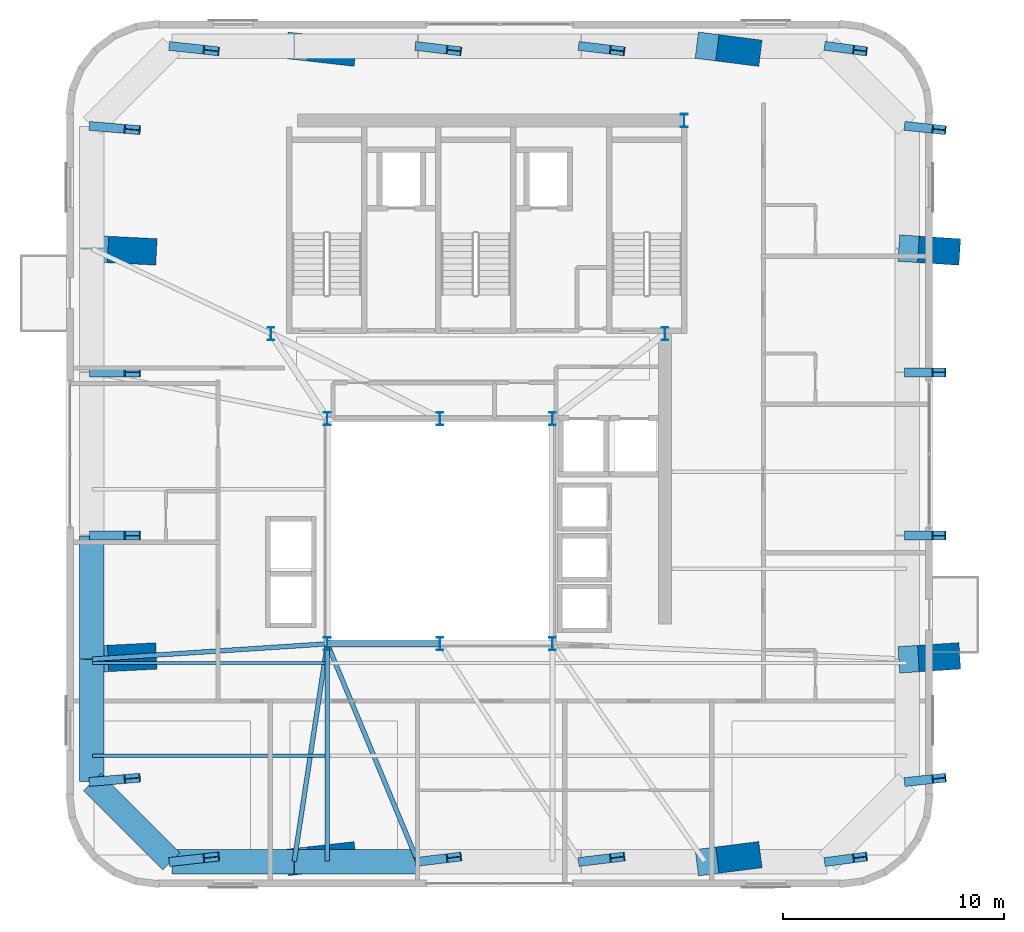
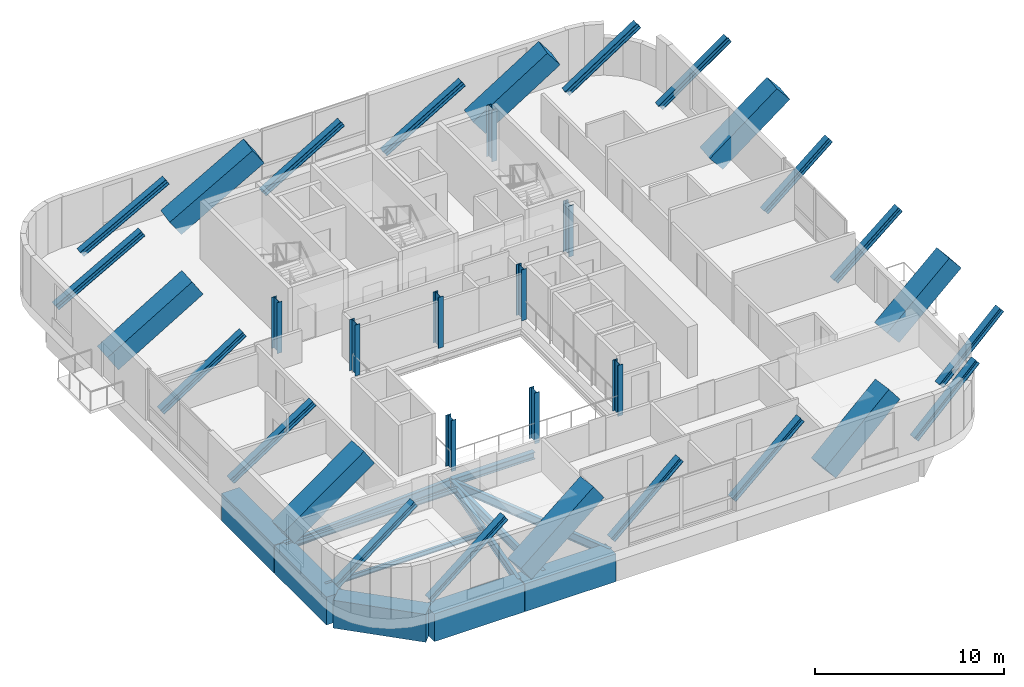
# One storey, part 1 of 12: 33 columns, 12 beams.
"""IFC4 building model written with IfcOpenShell, lengths in metres."""

from ifc_helpers import new_model, si_unit, direction, frame, origin, origin_2d, place, context, subcontext, project, spatial, rectangle, i_section, extrude, source, transform, mapped, material, material_profile, profile_set, type_object, element, save


model = new_model("IFC4")

# Units and contexts
model_context = context("Model", 3, precision=1e-05, world=origin(), true_north=direction((0.0, 1.0)))
body_context = subcontext(model_context, "Body", "Model", "MODEL_VIEW")
ifc_project = project(units=[si_unit("LENGTHUNIT", "METRE"), si_unit("AREAUNIT", "SQUARE_METRE"), si_unit("VOLUMEUNIT", "CUBIC_METRE"), si_unit("PLANEANGLEUNIT", "RADIAN"), si_unit("MASSUNIT", "GRAM", prefix="KILO")], contexts=[model_context])

# Site, building, storey
site_placement = place(None, origin())
site = spatial("IfcSite", under=ifc_project, at=site_placement, CompositionType="ELEMENT")
building_placement = place(site_placement, origin())
building = spatial("IfcBuilding", under=site, at=building_placement, Name="Vardaveli Station Tower", CompositionType="ELEMENT")
storey_placement = place(building_placement, frame((0.0, 0.0, 282.199951171875)))
storey = spatial("IfcBuildingStorey", under=building, at=storey_placement, Name="L72", CompositionType="ELEMENT", Elevation=282.199951171875)

# Columns
ifc_material_1 = material(Name="Structural steel S460M", Category="steel")
ifc_material_profile_1 = material_profile(ifc_material_1, i_section(OverallWidth=0.300048828125, OverallDepth=0.60009765625, WebThickness=0.015380859375, FlangeThickness=0.030029296875, FilletRadius=0.027099609375, at=origin_2d()), Name="HEB 600")
ifc_profile_set_1 = profile_set([ifc_material_profile_1], Name="Structural steel S460M")
column_type_1 = type_object("IfcColumnType", Name="COL-HEB600", PredefinedType="COLUMN", material=ifc_profile_set_1)
shared_shape_1 = source(origin(), body_context, "Body", "SweptSolid", [
    extrude(i_section(OverallWidth=0.300048828125, OverallDepth=0.60009765625, WebThickness=0.015380859375, FlangeThickness=0.030029296875, FilletRadius=0.027099609375, at=origin_2d()), origin(), (0.0, 0.0, 1.0), 3.300048828125),
])
for number, where, z_axis, x_axis, name in (
    (1, (31.199951171875, 16.60009765625, 0.0), (0.0, 0.0, 1.0), (1.0, 0.0, 0.0), "COL-L72-AC1"),
    (2, (36.300048828125, 16.60009765625, 0.0), (0.0, 0.0, 1.0), (1.0, 0.0, 0.0), "COL-L72-AC2"),
    (3, (41.39990234375, 16.60009765625, 0.0), (0.0, 0.0, 1.0), (1.0, 0.0, 0.0), "COL-L72-AC3"),
    (4, (41.39990234375, 26.800048828125, 0.0), (0.0, 0.0, 1.0), (1.0, 0.0, 0.0), "COL-L72-AC4"),
    (5, (36.300048828125, 26.800048828125, 0.0), (0.0, 0.0, 1.0), (1.0, 0.0, 0.0), "COL-L72-AC5"),
    (6, (31.199951171875, 26.800048828125, 0.0), (0.0, 0.0, 1.0), (1.0, 0.0, 0.0), "COL-L72-AC6"),
    (7, (28.64990234375, 30.64990234375, 0.0), (0.0, 0.0, 1.0), (1.0, 0.0, 0.0), "COL-L72-CC1"),
    (8, (46.5, 30.64990234375, 0.0), (0.0, 0.0, 1.0), (1.0, 0.0, 0.0), "COL-L72-CC2"),
    (9, (47.3701171875, 40.300048828125, 0.0), (0.0, 0.0, 1.0), (1.0, 0.0, 0.0), "COL-L72-CC3"),
):
    element("IfcColumn", number, at=place(storey_placement, frame(where, z_axis=z_axis, x_axis=x_axis)), inside=storey, type_object=column_type_1, Name=name, PredefinedType="COLUMN", context=body_context, shape_type="MappedRepresentation", body=[
        mapped(shared_shape_1, transform((0.0, 0.0, 0.0), scale=1.0)),
    ])
ifc_material_2 = material(Name="Concrete C50/60", Category="concrete")
ifc_material_profile_2 = material_profile(ifc_material_2, rectangle(XDim=1.199951171875, YDim=1.199951171875, at=origin_2d()), Name="MC 1200x1200")
ifc_profile_set_2 = profile_set([ifc_material_profile_2], Name="Concrete C50/60")
column_type_2 = type_object("IfcColumnType", Name="COL-MC-1200", PredefinedType="COLUMN", material=ifc_profile_set_2)
shared_shape_2 = source(origin(), body_context, "Body", "SweptSolid", [
    extrude(rectangle(XDim=1.199951171875, YDim=1.199951171875, at=origin_2d()), origin(), (0.0, 0.0, 1.0), 5.814208984375),
])
for number, where, z_axis, x_axis, name in (
    (10, (29.699951171875, 6.72998046875, 0.0), (0.818058492506, 0.092882937348, 0.567585291202), (-0.11281585058, 0.99361591365, 0.0), "COL-L72-MC1"),
    (11, (29.699951171875, 43.669921875, 0.0), (0.818058492506, -0.092882937348, 0.567585291202), (0.11281585058, 0.99361591365, 0.0), "COL-L72-MC6"),
):
    element("IfcColumn", number, at=place(storey_placement, frame(where, z_axis=z_axis, x_axis=x_axis)), inside=storey, type_object=column_type_2, Name=name, PredefinedType="COLUMN", context=body_context, shape_type="MappedRepresentation", body=[
        mapped(shared_shape_2, transform((0.0, 0.0, 0.0), scale=1.0)),
    ])
shared_shape_3 = source(origin(), body_context, "Body", "SweptSolid", [
    extrude(rectangle(XDim=1.199951171875, YDim=1.199951171875, at=origin_2d()), origin(), (0.0, 0.0, 1.0), 5.40283203125),
])
for number, where, z_axis, x_axis, name in (
    (12, (48.300048828125, 6.72998046875, 0.0), (0.785450211726, 0.099954888295, 0.610800282585), (-0.126239984183, 0.991999731045, 0.0), "COL-L72-MC2"),
    (13, (48.300048828125, 43.669921875, 0.0), (0.785450211726, -0.099954888295, 0.610800282585), (0.126239984183, 0.991999731045, 0.0), "COL-L72-MC5"),
):
    element("IfcColumn", number, at=place(storey_placement, frame(where, z_axis=z_axis, x_axis=x_axis)), inside=storey, type_object=column_type_2, Name=name, PredefinedType="COLUMN", context=body_context, shape_type="MappedRepresentation", body=[
        mapped(shared_shape_3, transform((0.0, 0.0, 0.0), scale=1.0)),
    ])
shared_shape_4 = source(origin(), body_context, "Body", "SweptSolid", [
    extrude(rectangle(XDim=1.199951171875, YDim=1.199951171875, at=origin_2d()), origin(), (0.0, 0.0, 1.0), 5.1611328125),
])
for number, where, z_axis, x_axis, name in (
    (14, (57.469970703125, 15.89990234375, 0.0), (0.76726534112, 0.049668841441, 0.639403552153), (-0.064599680775, 0.997911259203, 0.0), "COL-L72-MC3"),
    (15, (57.469970703125, 34.5, 0.0), (0.767267142972, -0.049621654314, 0.639405053733), (0.064538413649, 0.997915223435, 0.0), "COL-L72-MC4"),
):
    element("IfcColumn", number, at=place(storey_placement, frame(where, z_axis=z_axis, x_axis=x_axis)), inside=storey, type_object=column_type_2, Name=name, PredefinedType="COLUMN", context=body_context, shape_type="MappedRepresentation", body=[
        mapped(shared_shape_4, transform((0.0, 0.0, 0.0), scale=1.0)),
    ])
shared_shape_5 = source(origin(), body_context, "Body", "SweptSolid", [
    extrude(rectangle(XDim=1.199951171875, YDim=1.199951171875, at=origin_2d()), origin(), (0.0, 0.0, 1.0), 6.02978515625),
])
for number, where, z_axis, x_axis, name in (
    (16, (20.530029296875, 34.5, 0.0), (0.835861798334, -0.042473310718, 0.547294319322), (0.05074832087, 0.998711473815, 0.0), "COL-L72-MC7"),
    (17, (20.530029296875, 15.89990234375, 0.0), (0.835860360208, 0.042513726905, 0.547293377685), (-0.050796573908, 0.998709020726, 0.0), "COL-L72-MC8"),
):
    element("IfcColumn", number, at=place(storey_placement, frame(where, z_axis=z_axis, x_axis=x_axis)), inside=storey, type_object=column_type_2, Name=name, PredefinedType="COLUMN", context=body_context, shape_type="MappedRepresentation", body=[
        mapped(shared_shape_5, transform((0.0, 0.0, 0.0), scale=1.0)),
    ])
ifc_material_profile_3 = material_profile(ifc_material_1, i_section(OverallWidth=0.405029296875, OverallDepth=0.403076171875, WebThickness=0.017822265625, FlangeThickness=0.02783203125, FilletRadius=0.014892578125, at=origin_2d()), Name="HD 400x287")
ifc_profile_set_3 = profile_set([ifc_material_profile_3], Name="Structural steel S460M")
column_type_3 = type_object("IfcColumnType", Name="COL-HD287", PredefinedType="COLUMN", material=ifc_profile_set_3)
shared_shape_6 = source(origin(), body_context, "Body", "SweptSolid", [
    extrude(i_section(OverallWidth=0.405029296875, OverallDepth=0.403076171875, WebThickness=0.017822265625, FlangeThickness=0.02783203125, FilletRadius=0.014892578125, at=origin_2d()), origin(), (0.0, 0.0, 1.0), 5.95458984375),
])
for number, where, z_axis, x_axis, name in (
    (18, (24.14990234375, 6.72998046875, 0.0), (0.827427261615, 0.090692686323, 0.554201193957), (-0.1089555096, 0.99404662714, 0.0), "COL-L72-PC01"),
    (19, (24.14990234375, 43.669921875, 0.0), (0.827427261615, -0.090692686323, 0.554201193957), (0.1089555096, 0.99404662714, 0.0), "COL-L72-PC12"),
):
    element("IfcColumn", number, at=place(storey_placement, frame(where, z_axis=z_axis, x_axis=x_axis)), inside=storey, type_object=column_type_3, Name=name, PredefinedType="COLUMN", context=body_context, shape_type="MappedRepresentation", body=[
        mapped(shared_shape_6, transform((0.0, 0.0, 0.0), scale=1.0)),
    ])
shared_shape_7 = source(origin(), body_context, "Body", "SweptSolid", [
    extrude(i_section(OverallWidth=0.405029296875, OverallDepth=0.403076171875, WebThickness=0.017822265625, FlangeThickness=0.02783203125, FilletRadius=0.014892578125, at=origin_2d()), origin(), (0.0, 0.0, 1.0), 5.6064453125),
])
for number, where, z_axis, x_axis, name in (
    (20, (35.300048828125, 6.72998046875, 0.0), (0.802651000584, 0.096325087527, 0.588619443082), (-0.11915371698, 0.992875818887, 0.0), "COL-L72-PC02"),
    (21, (42.699951171875, 6.72998046875, 0.0), (0.802651000584, 0.096325087527, 0.588619443082), (-0.11915371698, 0.992875818887, 0.0), "COL-L72-PC03"),
    (22, (42.699951171875, 43.669921875, 0.0), (0.802651000584, -0.096325087527, 0.588619443082), (0.11915371698, 0.992875818887, 0.0), "COL-L72-PC10"),
    (23, (35.300048828125, 43.669921875, 0.0), (0.802651000584, -0.096325087527, 0.588619443082), (0.11915371698, 0.992875818887, 0.0), "COL-L72-PC11"),
):
    element("IfcColumn", number, at=place(storey_placement, frame(where, z_axis=z_axis, x_axis=x_axis)), inside=storey, type_object=column_type_3, Name=name, PredefinedType="COLUMN", context=body_context, shape_type="MappedRepresentation", body=[
        mapped(shared_shape_7, transform((0.0, 0.0, 0.0), scale=1.0)),
    ])
shared_shape_8 = source(origin(), body_context, "Body", "SweptSolid", [
    extrude(i_section(OverallWidth=0.405029296875, OverallDepth=0.403076171875, WebThickness=0.017822265625, FlangeThickness=0.02783203125, FilletRadius=0.014892578125, at=origin_2d()), origin(), (0.0, 0.0, 1.0), 5.269775390625),
])
for number, where, z_axis, x_axis, name in (
    (24, (53.85009765625, 6.72998046875, 0.0), (0.772887480351, 0.102477198737, 0.626213515069), (-0.131439732023, 0.991324163352, 0.0), "COL-L72-PC04"),
    (25, (53.85009765625, 43.669921875, 0.0), (0.772887480351, -0.102477198737, 0.626213515069), (0.131439732023, 0.991324163352, 0.0), "COL-L72-PC09"),
):
    element("IfcColumn", number, at=place(storey_placement, frame(where, z_axis=z_axis, x_axis=x_axis)), inside=storey, type_object=column_type_3, Name=name, PredefinedType="COLUMN", context=body_context, shape_type="MappedRepresentation", body=[
        mapped(shared_shape_8, transform((0.0, 0.0, 0.0), scale=1.0)),
    ])
shared_shape_9 = source(origin(), body_context, "Body", "SweptSolid", [
    extrude(i_section(OverallWidth=0.405029296875, OverallDepth=0.403076171875, WebThickness=0.017822265625, FlangeThickness=0.02783203125, FilletRadius=0.014892578125, at=origin_2d()), origin(), (0.0, 0.0, 1.0), 5.17236328125),
])
for number, where, z_axis, x_axis, name in (
    (26, (57.469970703125, 10.35009765625, 0.0), (0.76559131593, 0.082553588876, 0.638008496759), (-0.107208370415, 0.994236574118, 0.0), "COL-L72-PC05"),
    (27, (57.469970703125, 40.050048828125, 0.0), (0.76559131593, -0.082553588876, 0.638008496759), (0.107208370415, 0.994236574118, 0.0), "COL-L72-PC08"),
):
    element("IfcColumn", number, at=place(storey_placement, frame(where, z_axis=z_axis, x_axis=x_axis)), inside=storey, type_object=column_type_3, Name=name, PredefinedType="COLUMN", context=body_context, shape_type="MappedRepresentation", body=[
        mapped(shared_shape_9, transform((0.0, 0.0, 0.0), scale=1.0)),
    ])
shared_shape_10 = source(origin(), body_context, "Body", "SweptSolid", [
    extrude(i_section(OverallWidth=0.405029296875, OverallDepth=0.403076171875, WebThickness=0.017822265625, FlangeThickness=0.02783203125, FilletRadius=0.014892578125, at=origin_2d()), origin(), (0.0, 0.0, 1.0), 5.15478515625),
])
for number, where, z_axis, x_axis, name in (
    (28, (57.469970703125, 21.5, 0.0), (0.76821351526, 0.0, 0.640193716755), (0.0, 1.0, 0.0), "COL-L72-PC06"),
    (29, (57.469970703125, 28.89990234375, 0.0), (0.76821351526, 0.0, 0.640193716755), (0.0, 1.0, 0.0), "COL-L72-PC07"),
):
    element("IfcColumn", number, at=place(storey_placement, frame(where, z_axis=z_axis, x_axis=x_axis)), inside=storey, type_object=column_type_3, Name=name, PredefinedType="COLUMN", context=body_context, shape_type="MappedRepresentation", body=[
        mapped(shared_shape_10, transform((0.0, 0.0, 0.0), scale=1.0)),
    ])
shared_shape_11 = source(origin(), body_context, "Body", "SweptSolid", [
    extrude(i_section(OverallWidth=0.405029296875, OverallDepth=0.403076171875, WebThickness=0.017822265625, FlangeThickness=0.02783203125, FilletRadius=0.014892578125, at=origin_2d()), origin(), (0.0, 0.0, 1.0), 6.039306640625),
])
for number, where, z_axis, x_axis, name in (
    (30, (20.530029296875, 40.050048828125, 0.0), (0.834523086314, -0.070702425788, 0.546417775514), (0.084419521225, 0.996430300842, 0.0), "COL-L72-PC13"),
    (31, (20.530029296875, 10.35009765625, 0.0), (0.834523086314, 0.070702425788, 0.546417775514), (-0.084419521225, 0.996430300842, 0.0), "COL-L72-PC16"),
):
    element("IfcColumn", number, at=place(storey_placement, frame(where, z_axis=z_axis, x_axis=x_axis)), inside=storey, type_object=column_type_3, Name=name, PredefinedType="COLUMN", context=body_context, shape_type="MappedRepresentation", body=[
        mapped(shared_shape_11, transform((0.0, 0.0, 0.0), scale=1.0)),
    ])
shared_shape_12 = source(origin(), body_context, "Body", "SweptSolid", [
    extrude(i_section(OverallWidth=0.405029296875, OverallDepth=0.403076171875, WebThickness=0.017822265625, FlangeThickness=0.02783203125, FilletRadius=0.014892578125, at=origin_2d()), origin(), (0.0, 0.0, 1.0), 6.0244140625),
])
for number, where, z_axis, x_axis, name in (
    (32, (20.530029296875, 28.89990234375, 0.0), (0.836616759812, 0.0, 0.54778864282), (0.0, 1.0, 0.0), "COL-L72-PC14"),
    (33, (20.530029296875, 21.5, 0.0), (0.836616759812, 0.0, 0.54778864282), (0.0, 1.0, 0.0), "COL-L72-PC15"),
):
    element("IfcColumn", number, at=place(storey_placement, frame(where, z_axis=z_axis, x_axis=x_axis)), inside=storey, type_object=column_type_3, Name=name, PredefinedType="COLUMN", context=body_context, shape_type="MappedRepresentation", body=[
        mapped(shared_shape_12, transform((0.0, 0.0, 0.0), scale=1.0)),
    ])

# Beams
ifc_material_3 = material(Name="Structural steel S355J2", Category="steel")
ifc_material_profile_4 = material_profile(ifc_material_3, i_section(OverallWidth=0.300048828125, OverallDepth=0.449951171875, WebThickness=0.013916015625, FlangeThickness=0.02587890625, FilletRadius=0.027099609375, at=origin_2d()), Name="HEB 450")
ifc_profile_set_4 = profile_set([ifc_material_profile_4], Name="Structural steel S355J2")
beam_type_1 = type_object("IfcBeamType", Name="BM-HEB450", PredefinedType="BEAM", material=ifc_profile_set_4)
shared_shape_13 = source(origin(), body_context, "Body", "SweptSolid", [
    extrude(i_section(OverallWidth=0.300048828125, OverallDepth=0.449951171875, WebThickness=0.013916015625, FlangeThickness=0.02587890625, FilletRadius=0.027099609375, at=origin_2d()), origin(), (0.0, 0.0, 1.0), 5.06005859375),
])
beam_1_placement = place(storey_placement, frame((31.219970703125, 16.60009765625, -0.875), z_axis=(1.0, 0.0, 0.0), x_axis=(0.0, 1.0, 0.0)))
element("IfcBeam", 34, at=beam_1_placement, inside=storey, type_object=beam_type_1, Name="ABM-L72-01", PredefinedType="BEAM", context=body_context, shape_type="MappedRepresentation", body=[
    mapped(shared_shape_13, transform((0.0, 0.0, 0.0), scale=1.0)),
])
ifc_material_4 = material(Name="Concrete C60/75", Category="concrete")
ifc_material_profile_5 = material_profile(ifc_material_4, rectangle(XDim=1.10009765625, YDim=1.800048828125, at=origin_2d()), Name="TG 1100x1800")
ifc_profile_set_5 = profile_set([ifc_material_profile_5], Name="Concrete C60/75")
beam_type_2 = type_object("IfcBeamType", Name="BM-TG-1800", PredefinedType="BEAM", material=ifc_profile_set_5)
shared_shape_14 = source(origin(), body_context, "Body", "SweptSolid", [
    extrude(rectangle(XDim=1.10009765625, YDim=1.800048828125, at=origin_2d()), origin(), (0.0, 0.0, 1.0), 5.56005859375),
])
for number, where, z_axis, x_axis, name in (
    (35, (29.719970703125, 6.72998046875, -1.550048828125), (1.0, 0.0, 0.0), (0.0, 1.0, 0.0), "RBM-L72-01"),
    (36, (20.530029296875, 21.47998046875, -1.550048828125), (0.0, -1.0, 0.0), (1.0, 0.0, 0.0), "RBM-L72-21"),
):
    element("IfcBeam", number, at=place(storey_placement, frame(where, z_axis=z_axis, x_axis=x_axis)), inside=storey, type_object=beam_type_2, Name=name, PredefinedType="BEAM", context=body_context, shape_type="MappedRepresentation", body=[
        mapped(shared_shape_14, transform((0.0, 0.0, 0.0), scale=1.0)),
    ])
shared_shape_15 = source(origin(), body_context, "Body", "SweptSolid", [
    extrude(rectangle(XDim=1.10009765625, YDim=1.800048828125, at=origin_2d()), origin(), (0.0, 0.0, 1.0), 5.510009765625),
])
beam_2_placement = place(storey_placement, frame((24.169921875, 6.72998046875, -1.550048828125), z_axis=(1.0, 0.0, 0.0), x_axis=(0.0, 1.0, 0.0)))
element("IfcBeam", 37, at=beam_2_placement, inside=storey, type_object=beam_type_2, Name="RBM-L72-24", PredefinedType="BEAM", context=body_context, shape_type="MappedRepresentation", body=[
    mapped(shared_shape_15, transform((0.0, 0.0, 0.0), scale=1.0)),
])
shared_shape_16 = source(origin(), body_context, "Body", "SweptSolid", [
    extrude(rectangle(XDim=1.10009765625, YDim=1.800048828125, at=origin_2d()), origin(), (0.0, 0.0, 1.0), 5.079345703125),
])
beam_3_placement = place(storey_placement, frame((20.544189453125, 10.3359375, -1.550048828125), z_axis=(0.707082748328, -0.707130813228, 0.0), x_axis=(0.707130813228, 0.707082748328, 0.0)))
element("IfcBeam", 38, at=beam_3_placement, inside=storey, type_object=beam_type_2, Name="RBM-L72-23", PredefinedType="BEAM", context=body_context, shape_type="MappedRepresentation", body=[
    mapped(shared_shape_16, transform((0.0, 0.0, 0.0), scale=1.0)),
])
shared_shape_17 = source(origin(), body_context, "Body", "SweptSolid", [
    extrude(rectangle(XDim=1.10009765625, YDim=1.800048828125, at=origin_2d()), origin(), (0.0, 0.0, 1.0), 5.509765625),
])
beam_4_placement = place(storey_placement, frame((20.530029296875, 15.8798828125, -1.550048828125), z_axis=(0.0, -1.0, 0.0), x_axis=(1.0, 0.0, 0.0)))
element("IfcBeam", 39, at=beam_4_placement, inside=storey, type_object=beam_type_2, Name="RBM-L72-22", PredefinedType="BEAM", context=body_context, shape_type="MappedRepresentation", body=[
    mapped(shared_shape_17, transform((0.0, 0.0, 0.0), scale=1.0)),
])
ifc_material_profile_6 = material_profile(ifc_material_3, i_section(OverallWidth=0.2099609375, OverallDepth=0.550048828125, WebThickness=0.010986328125, FlangeThickness=0.01708984375, FilletRadius=0.02392578125, at=origin_2d()), Name="IPE 550")
ifc_profile_set_6 = profile_set([ifc_material_profile_6], Name="Structural steel S355J2")
beam_type_3 = type_object("IfcBeamType", Name="BM-IPE550", PredefinedType="BEAM", material=ifc_profile_set_6)
shared_shape_18 = source(origin(), body_context, "Body", "SweptSolid", [
    extrude(i_section(OverallWidth=0.2099609375, OverallDepth=0.550048828125, WebThickness=0.010986328125, FlangeThickness=0.01708984375, FilletRadius=0.02392578125, at=origin_2d()), origin(), (0.0, 0.0, 1.0), 9.943359375),
])
beam_5_placement = place(storey_placement, frame((29.703125, 6.749755859375, -0.925048828125), z_axis=(0.150239582153, 0.988649618396, 0.0), x_axis=(-0.988649618396, 0.150239582153, 0.0)))
element("IfcBeam", 40, at=beam_5_placement, inside=storey, type_object=beam_type_3, Name="GBM-L72-01", PredefinedType="BEAM", context=body_context, shape_type="MappedRepresentation", body=[
    mapped(shared_shape_18, transform((0.0, 0.0, 0.0), scale=1.0)),
])
shared_shape_19 = source(origin(), body_context, "Body", "SweptSolid", [
    extrude(i_section(OverallWidth=0.2099609375, OverallDepth=0.550048828125, WebThickness=0.010986328125, FlangeThickness=0.01708984375, FilletRadius=0.02392578125, at=origin_2d()), origin(), (0.0, 0.0, 1.0), 10.6474609375),
])
beam_6_placement = place(storey_placement, frame((35.292236328125, 6.74853515625, -0.925048828125), z_axis=(-0.383605726588, 0.923496966172, 0.0), x_axis=(-0.923496966172, -0.383605726588, 0.0)))
element("IfcBeam", 41, at=beam_6_placement, inside=storey, type_object=beam_type_3, Name="GBM-L72-02", PredefinedType="BEAM", context=body_context, shape_type="MappedRepresentation", body=[
    mapped(shared_shape_19, transform((0.0, 0.0, 0.0), scale=1.0)),
])
shared_shape_20 = source(origin(), body_context, "Body", "SweptSolid", [
    extrude(i_section(OverallWidth=0.2099609375, OverallDepth=0.550048828125, WebThickness=0.010986328125, FlangeThickness=0.01708984375, FilletRadius=0.02392578125, at=origin_2d()), origin(), (0.0, 0.0, 1.0), 10.65283203125),
])
beam_7_placement = place(storey_placement, frame((20.550048828125, 15.9013671875, -0.925048828125), z_axis=(0.997855575092, 0.065454192064, 0.0), x_axis=(-0.065454192064, 0.997855575092, 0.0)))
element("IfcBeam", 42, at=beam_7_placement, inside=storey, type_object=beam_type_3, Name="GBM-L72-10", PredefinedType="BEAM", context=body_context, shape_type="MappedRepresentation", body=[
    mapped(shared_shape_20, transform((0.0, 0.0, 0.0), scale=1.0)),
])
shared_shape_21 = source(origin(), body_context, "Body", "SweptSolid", [
    extrude(i_section(OverallWidth=0.2099609375, OverallDepth=0.550048828125, WebThickness=0.010986328125, FlangeThickness=0.01708984375, FilletRadius=0.02392578125, at=origin_2d()), origin(), (0.0, 0.0, 1.0), 9.68994140625),
])
beam_8_placement = place(storey_placement, frame((31.199951171875, 6.77001953125, -0.925048828125), z_axis=(0.0, 1.0, 0.0), x_axis=(-1.0, 0.0, 0.0)))
element("IfcBeam", 43, at=beam_8_placement, inside=storey, type_object=beam_type_3, Name="NSM-L72-S1", PredefinedType="BEAM", context=body_context, shape_type="MappedRepresentation", body=[
    mapped(shared_shape_21, transform((0.0, 0.0, 0.0), scale=1.0)),
])
ifc_material_profile_7 = material_profile(ifc_material_3, i_section(OverallWidth=0.14990234375, OverallDepth=0.300048828125, WebThickness=0.007080078125, FlangeThickness=0.0107421875, FilletRadius=0.014892578125, at=origin_2d()), Name="IPE 300")
ifc_profile_set_7 = profile_set([ifc_material_profile_7], Name="Structural steel S355J2")
beam_type_4 = type_object("IfcBeamType", Name="BM-IPE300", PredefinedType="JOIST", material=ifc_profile_set_7)
shared_shape_22 = source(origin(), body_context, "Body", "SweptSolid", [
    extrude(i_section(OverallWidth=0.14990234375, OverallDepth=0.300048828125, WebThickness=0.007080078125, FlangeThickness=0.0107421875, FilletRadius=0.014892578125, at=origin_2d()), origin(), (0.0, 0.0, 1.0), 10.517822265625),
])
for number, where, z_axis, x_axis, name in (
    (44, (20.570068359375, 11.530029296875, -0.800048828125), (1.0, 0.0, 0.0), (0.0, 1.0, 0.0), "SJ-L72-S01"),
    (45, (20.570068359375, 15.72998046875, -0.800048828125), (1.0, 0.0, 0.0), (0.0, 1.0, 0.0), "SJ-L72-S04"),
):
    element("IfcBeam", number, at=place(storey_placement, frame(where, z_axis=z_axis, x_axis=x_axis)), inside=storey, type_object=beam_type_4, Name=name, PredefinedType="JOIST", context=body_context, shape_type="MappedRepresentation", body=[
        mapped(shared_shape_22, transform((0.0, 0.0, 0.0), scale=1.0)),
    ])

save(model, "model.ifc")
